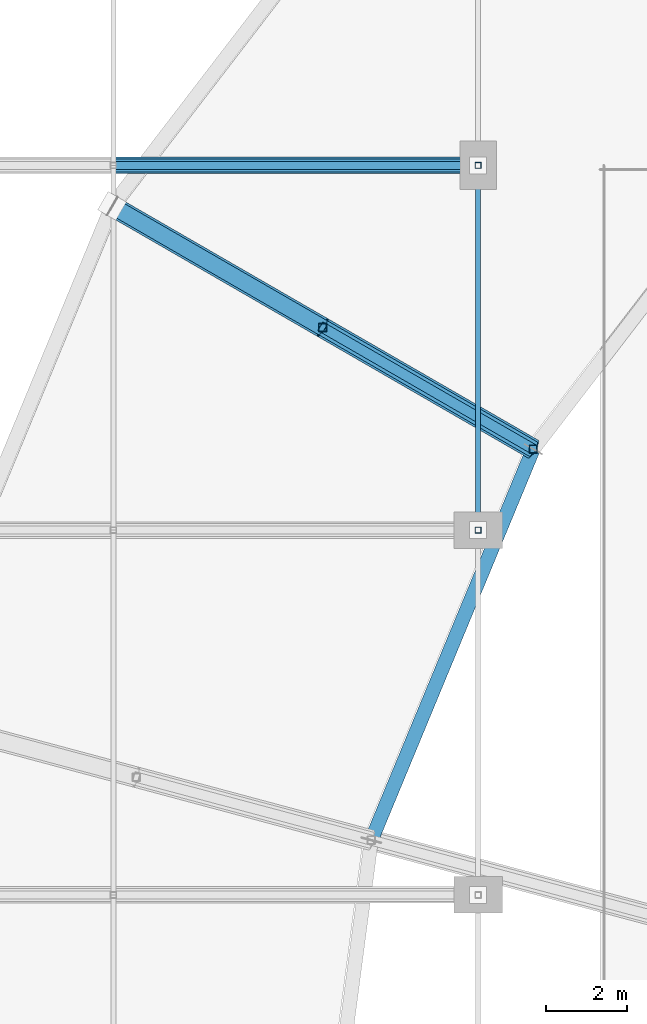
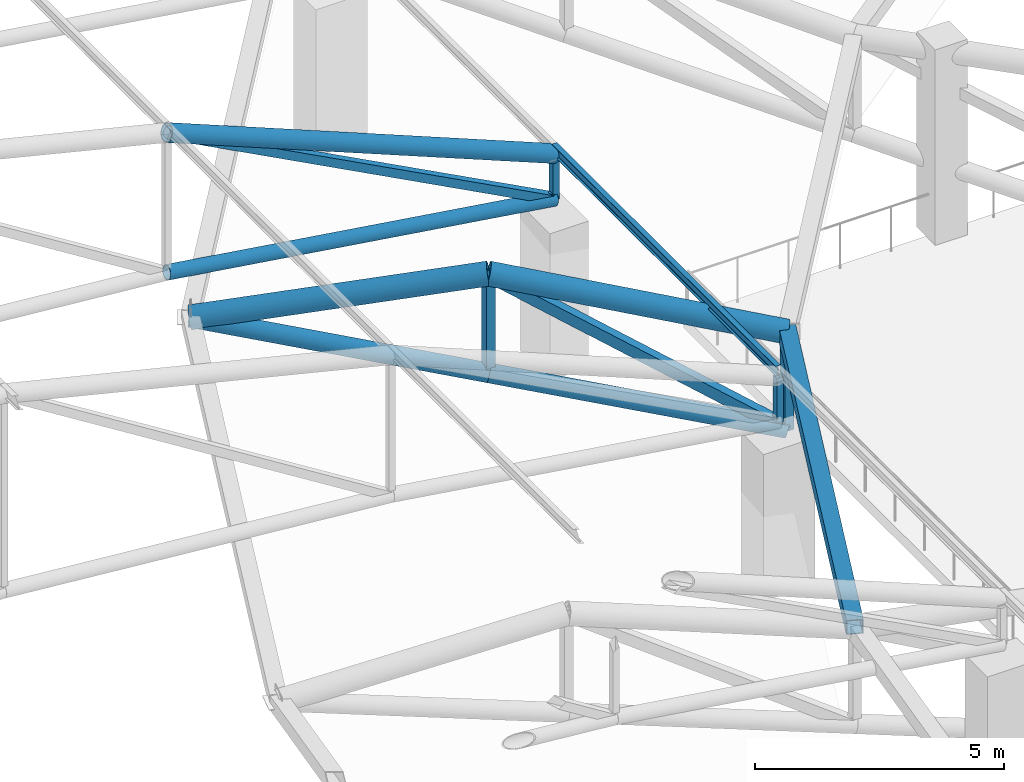
# One storey, part 60 of 167: 14 members.
"""IFC4 building model written with IfcOpenShell, lengths in metres."""

from ifc_helpers import new_model, si_unit, direction, frame, origin, origin_2d, place, context, subcontext, project, spatial, hollow_rectangle, hollow_circle, i_section, extrude, material, material_profile, profile_set, type_object, element, save


model = new_model("IFC4")

# Units and contexts
model_context = context("Model", 3, precision=1e-05, world=origin(), true_north=direction((0.0, 1.0)))
body_context = subcontext(model_context, "Body", "Model", "MODEL_VIEW")
ifc_project = project(units=[si_unit("LENGTHUNIT", "METRE"), si_unit("AREAUNIT", "SQUARE_METRE"), si_unit("VOLUMEUNIT", "CUBIC_METRE"), si_unit("PLANEANGLEUNIT", "RADIAN"), si_unit("MASSUNIT", "GRAM", prefix="KILO")], contexts=[model_context])

# Site, building, storey
site_placement = place(None, origin())
site = spatial("IfcSite", under=ifc_project, at=site_placement, CompositionType="ELEMENT")
building_placement = place(site_placement, origin())
building = spatial("IfcBuilding", under=site, at=building_placement, Name="Dornveld Trade and Exhibition Forum", CompositionType="ELEMENT")
storey_placement = place(building_placement, frame((0.0, 0.0, 16.800048828125)))
storey = spatial("IfcBuildingStorey", under=building, at=storey_placement, Name="L03", CompositionType="ELEMENT", Elevation=16.800048828125)

# Members
ifc_material_1 = material(Name="Steel S355J2", Category="steel")
ifc_material_profile_1 = material_profile(ifc_material_1, hollow_circle(Radius=0.161865234375, WallThickness=0.01611328125, at=origin_2d()), Name="CHS 323.9x16")
ifc_profile_set_1 = profile_set([ifc_material_profile_1], Name="Steel S355J2")
member_type_1 = type_object("IfcMemberType", Name="MEM-ARCH-BC", PredefinedType="CHORD", material=ifc_profile_set_1)
member_1_placement = place(storey_placement, frame((72.0, 108.0, 5.283203125), z_axis=(0.989204758987, 0.0, -0.146539908551), x_axis=(0.0, 1.0, 0.0)))
element("IfcMember", 1, at=member_1_placement, inside=storey, type_object=member_type_1, Name="H3 truss 9 tie chord 6", PredefinedType="CHORD", context=body_context, shape_type="SweptSolid", body=[
    extrude(hollow_circle(Radius=0.161865234375, WallThickness=0.01611328125, at=origin_2d()), origin(), (0.0, 0.0, 1.0), 9.09814453125),
])
ifc_material_2 = material(Name="Steel S355J2", Category="steel")
ifc_material_profile_2 = material_profile(ifc_material_2, hollow_rectangle(XDim=0.14990234375, YDim=0.14990234375, WallThickness=0.008056640625, at=origin_2d()), Name="SHS 150x150x8")
ifc_profile_set_2 = profile_set([ifc_material_profile_2], Name="Steel S355J2")
member_type_2 = type_object("IfcMemberType", Name="MEM-ARCH-STR", PredefinedType="STRUT", material=ifc_profile_set_2)
for number, where, z_axis, x_axis, name in (
    (2, (81.0, 99.0, 3.949951171875), (0.0, 0.0, 1.0), (1.0, 0.0, 0.0), "H3 truss 8 end strut"),
    (3, (81.0, 108.0, 3.949951171875), (0.0, 0.0, 1.0), (1.0, 0.0, 0.0), "H3 truss 9 end strut"),
):
    element("IfcMember", number, at=place(storey_placement, frame(where, z_axis=z_axis, x_axis=x_axis)), inside=storey, type_object=member_type_2, Name=name, PredefinedType="STRUT", context=body_context, shape_type="SweptSolid", body=[
        extrude(hollow_rectangle(XDim=0.14990234375, YDim=0.14990234375, WallThickness=0.008056640625, at=origin_2d()), origin(), (0.0, 0.0, 1.0), 1.10009765625),
    ])
ifc_material_3 = material(Name="Steel S355J2", Category="steel")
ifc_material_profile_3 = material_profile(ifc_material_3, hollow_circle(Radius=0.203125, WallThickness=0.02001953125, at=origin_2d()), Name="CHS 406.4x20")
ifc_profile_set_3 = profile_set([ifc_material_profile_3], Name="Steel S355J2")
member_type_3 = type_object("IfcMemberType", Name="MEM-ARCH-TC", PredefinedType="CHORD", material=ifc_profile_set_3)
member_2_placement = place(storey_placement, frame((72.0, 108.0, 8.716552734375), z_axis=(0.926098211611, 0.0, -0.377282523383), x_axis=(0.0, 1.0, 0.0)))
element("IfcMember", 4, at=member_2_placement, inside=storey, type_object=member_type_3, Name="H3 truss 9 top chord 6", PredefinedType="CHORD", context=body_context, shape_type="SweptSolid", body=[
    extrude(hollow_circle(Radius=0.203125, WallThickness=0.02001953125, at=origin_2d()), origin(), (0.0, 0.0, 1.0), 9.71826171875),
])
ifc_material_4 = material(Name="Steel S355J2", Category="steel")
ifc_material_profile_4 = material_profile(ifc_material_4, hollow_rectangle(XDim=0.199951171875, YDim=0.199951171875, WallThickness=0.010009765625, at=origin_2d()), Name="SHS 200x200x10")
ifc_profile_set_4 = profile_set([ifc_material_profile_4], Name="Steel S355J2")
member_type_4 = type_object("IfcMemberType", Name="MEM-ARCH-WEB", PredefinedType="BRACE", material=ifc_profile_set_4)
member_3_placement = place(storey_placement, frame((81.0, 108.0, 3.949951171875), z_axis=(-0.883710934211, 0.0, 0.468033102201), x_axis=(0.0, -1.0, 0.0)))
element("IfcMember", 5, at=member_3_placement, inside=storey, type_object=member_type_4, Name="H3 truss 9 web 6", PredefinedType="BRACE", context=body_context, shape_type="SweptSolid", body=[
    extrude(hollow_rectangle(XDim=0.199951171875, YDim=0.199951171875, WallThickness=0.010009765625, at=origin_2d()), origin(), (0.0, 0.0, 1.0), 10.184326171875),
])
ifc_material_5 = material(Name="Steel S355J2", Category="steel")
ifc_material_profile_5 = material_profile(ifc_material_5, hollow_circle(Radius=0.203125, WallThickness=0.02001953125, at=origin_2d()), Name="CHS 406.4x20")
ifc_profile_set_5 = profile_set([ifc_material_profile_5], Name="Steel S355J2")
member_type_5 = type_object("IfcMemberType", Name="MEM-DISC-BC", PredefinedType="CHORD", material=ifc_profile_set_5)
for number, where, z_axis, x_axis, name in (
    (6, (82.35888671875, 101.0, 2.07568359375), (-0.844532722982, 0.487601282714, 0.221380823263), (-0.500007758305, -0.866020924479, 0.0), "Roof disc radial R11 conical bottom chord 3"),
    (7, (77.162841796875, 104.0, 3.437744140625), (-0.844525303504, 0.487596998988, 0.221418559111), (-0.500007758305, -0.866020924479, 0.0), "Roof disc radial R11 conical bottom chord 4"),
):
    element("IfcMember", number, at=place(storey_placement, frame(where, z_axis=z_axis, x_axis=x_axis)), inside=storey, type_object=member_type_5, Name=name, PredefinedType="CHORD", context=body_context, shape_type="SweptSolid", body=[
        extrude(hollow_circle(Radius=0.203125, WallThickness=0.02001953125, at=origin_2d()), origin(), (0.0, 0.0, 1.0), 6.152587890625),
    ])
ifc_material_6 = material(Name="Steel S355J2", Category="steel")
ifc_material_profile_6 = material_profile(ifc_material_6, hollow_rectangle(XDim=0.35009765625, YDim=0.35009765625, WallThickness=0.01611328125, at=origin_2d()), Name="SHS 350x350x16")
ifc_profile_set_6 = profile_set([ifc_material_profile_6], Name="Steel S355J2")
member_type_6 = type_object("IfcMemberType", Name="MEM-DISC-RING", PredefinedType="CHORD", material=ifc_profile_set_6)
member_4_placement = place(storey_placement, frame((82.35888671875, 101.0, 4.449951171875), z_axis=(-0.382670482146, -0.923884896561, 0.0), x_axis=(0.923884896561, -0.382670482146, 0.0)))
element("IfcMember", 8, at=member_4_placement, inside=storey, type_object=member_type_6, Name="Roof disc ring 3 chord 11", PredefinedType="CHORD", context=body_context, shape_type="SweptSolid", body=[
    extrude(hollow_rectangle(XDim=0.35009765625, YDim=0.35009765625, WallThickness=0.01611328125, at=origin_2d()), origin(), (0.0, 0.0, 1.0), 10.44189453125),
])
ifc_material_7 = material(Name="Steel S355J2", Category="steel")
ifc_material_profile_7 = material_profile(ifc_material_7, hollow_rectangle(XDim=0.199951171875, YDim=0.199951171875, WallThickness=0.010009765625, at=origin_2d()), Name="SHS 200x200x10")
ifc_profile_set_7 = profile_set([ifc_material_profile_7], Name="Steel S355J2")
member_type_7 = type_object("IfcMemberType", Name="MEM-DISC-STR", PredefinedType="STRUT", material=ifc_profile_set_7)
member_5_placement = place(storey_placement, frame((82.35888671875, 101.0, 2.07568359375), z_axis=(0.0, 0.0, 1.0), x_axis=(1.0, 0.0, 0.0)))
element("IfcMember", 9, at=member_5_placement, inside=storey, type_object=member_type_7, Name="Roof disc radial R11 strut 3", PredefinedType="STRUT", context=body_context, shape_type="SweptSolid", body=[
    extrude(hollow_rectangle(XDim=0.199951171875, YDim=0.199951171875, WallThickness=0.010009765625, at=origin_2d()), origin(), (0.0, 0.0, 1.0), 2.374267578125),
])
member_6_placement = place(storey_placement, frame((77.162841796875, 104.0, 3.437744140625), z_axis=(0.0, 0.0, 1.0), x_axis=(1.0, 0.0, 0.0)))
element("IfcMember", 10, at=member_6_placement, inside=storey, type_object=member_type_7, Name="Roof disc radial R11 strut 4", PredefinedType="STRUT", context=body_context, shape_type="SweptSolid", body=[
    extrude(hollow_rectangle(XDim=0.199951171875, YDim=0.199951171875, WallThickness=0.010009765625, at=origin_2d()), origin(), (0.0, 0.0, 1.0), 2.437255859375),
])
ifc_material_8 = material(Name="Steel S355J2", Category="steel")
ifc_material_profile_8 = material_profile(ifc_material_8, hollow_circle(Radius=0.25390625, WallThickness=0.02490234375, at=origin_2d()), Name="CHS 508x25")
ifc_profile_set_8 = profile_set([ifc_material_profile_8], Name="Steel S355J2")
member_type_8 = type_object("IfcMemberType", Name="MEM-DISC-TC", PredefinedType="CHORD", material=ifc_profile_set_8)
member_7_placement = place(storey_placement, frame((82.35888671875, 101.0, 4.449951171875), z_axis=(-0.842581171387, 0.486474530565, 0.231083319898), x_axis=(-0.500007758305, -0.866020924479, 0.0)))
element("IfcMember", 11, at=member_7_placement, inside=storey, type_object=member_type_8, Name="Roof disc radial R11 top chord 3", PredefinedType="CHORD", context=body_context, shape_type="SweptSolid", body=[
    extrude(hollow_circle(Radius=0.25390625, WallThickness=0.02490234375, at=origin_2d()), origin(), (0.0, 0.0, 1.0), 6.166748046875),
])
member_8_placement = place(storey_placement, frame((77.162841796875, 104.0, 5.875), z_axis=(-0.852447721385, 0.492171103715, -0.176353301567), x_axis=(-0.500007758305, -0.866020924479, 0.0)))
element("IfcMember", 12, at=member_8_placement, inside=storey, type_object=member_type_8, Name="Roof disc radial R11 top chord 4", PredefinedType="CHORD", context=body_context, shape_type="SweptSolid", body=[
    extrude(hollow_circle(Radius=0.25390625, WallThickness=0.02490234375, at=origin_2d()), origin(), (0.0, 0.0, 1.0), 6.095458984375),
])
ifc_material_9 = material(Name="Steel S355J2", Category="steel")
ifc_material_profile_9 = material_profile(ifc_material_9, hollow_rectangle(XDim=0.25, YDim=0.25, WallThickness=0.012451171875, at=origin_2d()), Name="SHS 250x250x12.5")
ifc_profile_set_9 = profile_set([ifc_material_profile_9], Name="Steel S355J2")
member_type_9 = type_object("IfcMemberType", Name="MEM-DISC-WEB", PredefinedType="BRACE", material=ifc_profile_set_9)
member_9_placement = place(storey_placement, frame((82.35888671875, 101.0, 2.07568359375), z_axis=(-0.731665425973, 0.422435970228, 0.534989304092), x_axis=(-0.500007758305, -0.866020924479, 0.0)))
element("IfcMember", 13, at=member_9_placement, inside=storey, type_object=member_type_9, Name="Roof disc radial R11 web 3", PredefinedType="BRACE", context=body_context, shape_type="SweptSolid", body=[
    extrude(hollow_rectangle(XDim=0.25, YDim=0.25, WallThickness=0.012451171875, at=origin_2d()), origin(), (0.0, 0.0, 1.0), 7.1015625),
])
ifc_material_10 = material(Name="Steel S355J2", Category="steel")
ifc_material_profile_10 = material_profile(ifc_material_10, i_section(OverallWidth=0.1201171875, OverallDepth=0.239990234375, WebThickness=0.006103515625, FlangeThickness=0.009765625, FilletRadius=0.014892578125, at=origin_2d()), Name="IPE 240")
ifc_profile_set_10 = profile_set([ifc_material_profile_10], Name="Steel S355J2")
member_type_10 = type_object("IfcMemberType", Name="MEM-PURLIN-240", PredefinedType="PURLIN", material=ifc_profile_set_10)
member_10_placement = place(storey_placement, frame((81.0, 99.0, 5.181884765625), z_axis=(0.0, 1.0, 0.0), x_axis=(-1.0, 0.0, 0.0)))
element("IfcMember", 14, at=member_10_placement, inside=storey, type_object=member_type_10, Name="H3 bay 8 roof purlin 7", PredefinedType="PURLIN", context=body_context, shape_type="SweptSolid", body=[
    extrude(i_section(OverallWidth=0.1201171875, OverallDepth=0.239990234375, WebThickness=0.006103515625, FlangeThickness=0.009765625, FilletRadius=0.014892578125, at=origin_2d()), origin(), (0.0, 0.0, 1.0), 9.0),
])

save(model, "model.ifc")
